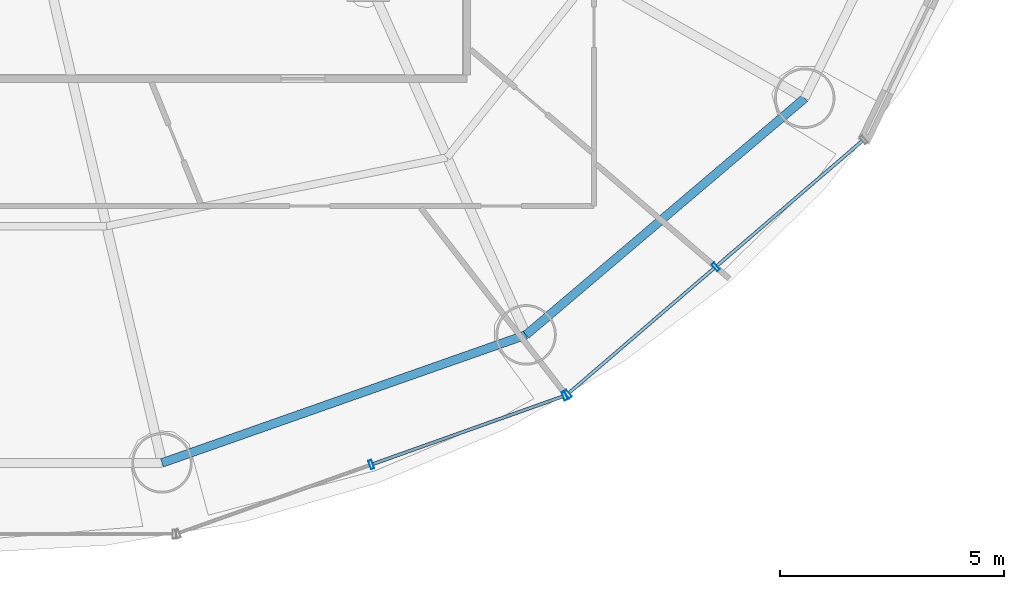
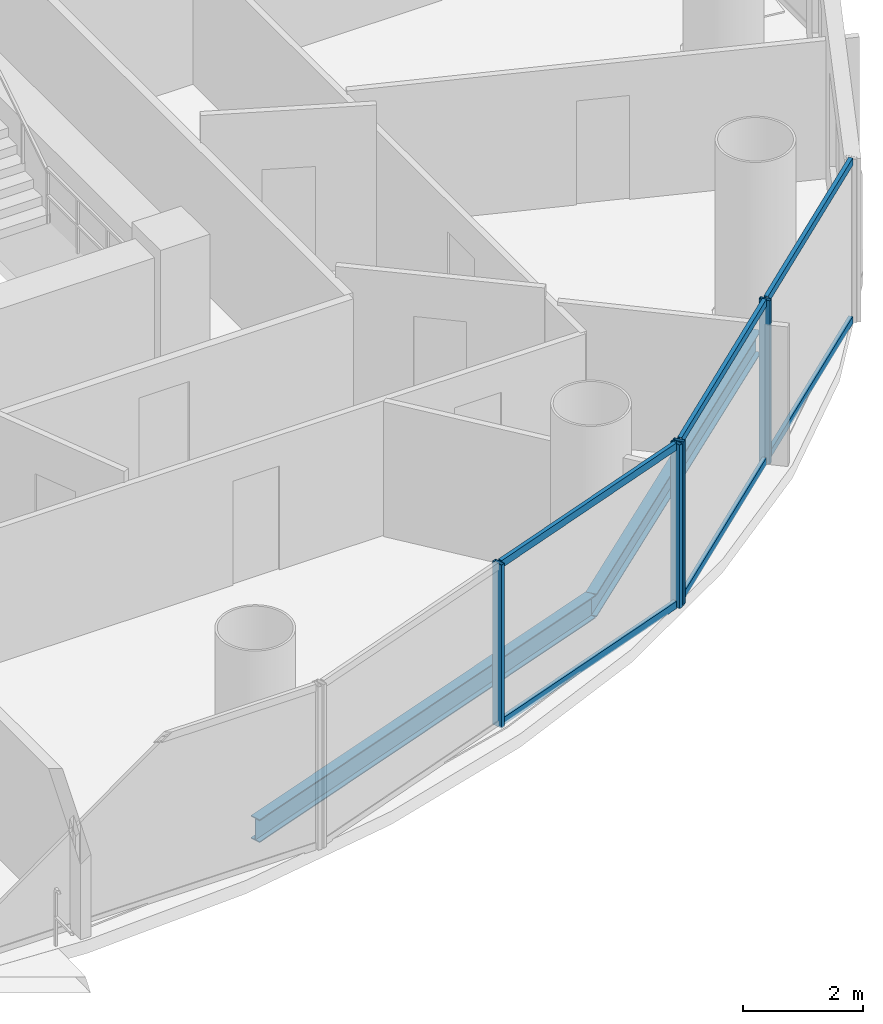
# One storey, part 9 of 27: 10 members, 2 beams, 2 elements without a shape of their own.
"""IFC4 building model written with IfcOpenShell, lengths in metres."""

from ifc_helpers import new_model, si_unit, direction, frame, origin, origin_2d, place, context, subcontext, project, spatial, hollow_rectangle, i_section, extrude, source, transform, mapped, material, material_profile, profile_set, type_object, element, aggregate, save


model = new_model("IFC4")

# Units and contexts
model_context = context("Model", 3, precision=1e-05, world=origin(), true_north=direction((-0.2419218956, 0.970295726276)))
body_context = subcontext(model_context, "Body", "Model", "MODEL_VIEW")
ifc_project = project(units=[si_unit("LENGTHUNIT", "METRE"), si_unit("AREAUNIT", "SQUARE_METRE"), si_unit("VOLUMEUNIT", "CUBIC_METRE"), si_unit("PLANEANGLEUNIT", "RADIAN"), si_unit("MASSUNIT", "GRAM", prefix="KILO")], contexts=[model_context])

# Site, building, storey
site_placement = place(None, origin())
site = spatial("IfcSite", under=ifc_project, at=site_placement, CompositionType="ELEMENT")
building_placement = place(site_placement, origin())
building = spatial("IfcBuilding", under=site, at=building_placement, Name="Cobrevalo Terracotta Tower", CompositionType="ELEMENT")
storey_placement = place(building_placement, frame((0.0, 0.0, 160.60009765625)))
storey = spatial("IfcBuildingStorey", under=building, at=storey_placement, Name="L42", CompositionType="ELEMENT", Elevation=160.60009765625)

# Beams
ifc_material_1 = material(Name="Steel S355", Category="steel")
ifc_material_profile_1 = material_profile(ifc_material_1, i_section(OverallWidth=0.194091796875, OverallDepth=0.468994140625, WebThickness=0.011474609375, FlangeThickness=0.0205078125, at=origin_2d()), Name="W 460x106")
ifc_profile_set_1 = profile_set([ifc_material_profile_1], Name="Steel S355")
beam_type = type_object("IfcBeamType", Name="Structural Spandrel W 460x106 (Steel S355)", PredefinedType="SPANDREL", material=ifc_profile_set_1)
beam_1_placement = place(storey_placement, frame((42.399169921875, 8.01806640625, -0.504638671875), z_axis=(0.943341298492, 0.331824041565, 0.0), x_axis=(-0.331824041565, 0.943341298492, 0.0)))
element("IfcBeam", 1, at=beam_1_placement, inside=storey, type_object=beam_type, Name="L42 perimeter ring spandrel 13", PredefinedType="SPANDREL", context=body_context, shape_type="SweptSolid", body=[
    extrude(i_section(OverallWidth=0.194091796875, OverallDepth=0.468994140625, WebThickness=0.011474609375, FlangeThickness=0.0205078125, at=origin_2d()), origin(), (0.0, 0.0, 1.0), 8.6171875),
])
beam_2_placement = place(storey_placement, frame((50.528076171875, 10.87744140625, -0.504638671875), z_axis=(0.762240337798, 0.647294112003, 0.0), x_axis=(-0.647294112003, 0.762240337798, 0.0)))
element("IfcBeam", 2, at=beam_2_placement, inside=storey, type_object=beam_type, Name="L42 perimeter ring spandrel 14", PredefinedType="SPANDREL", context=body_context, shape_type="SweptSolid", body=[
    extrude(i_section(OverallWidth=0.194091796875, OverallDepth=0.468994140625, WebThickness=0.011474609375, FlangeThickness=0.0205078125, at=origin_2d()), origin(), (0.0, 0.0, 1.0), 8.162353515625),
])

# Curtain wall, members
ifc_material_2 = material(Name="Anodized aluminium", Category="aluminium")
curtain_wall_type = type_object("IfcCurtainWallType", Name="Mid-tower high-wind unitised curtain wall CW-U2", PredefinedType="NOTDEFINED", material=ifc_material_2)
curtain_wall_1_placement = place(storey_placement, origin())
curtain_wall_1 = element("IfcCurtainWall", 3, at=curtain_wall_1_placement, inside=storey, type_object=curtain_wall_type, Name="L42 curtain wall CW-L42-S14", PredefinedType="NOTDEFINED")
ifc_material_profile_2 = material_profile(ifc_material_2, hollow_rectangle(XDim=0.074951171875, YDim=0.14990234375, WallThickness=0.00439453125, at=origin_2d()), Name="CWT 75x150")
ifc_profile_set_2 = profile_set([ifc_material_profile_2], Name="Anodized aluminium")
member_type_1 = type_object("IfcMemberType", Name="Tower unitised aluminium transom 75x150", PredefinedType="USERDEFINED", material=ifc_profile_set_2)
shared_shape_1 = source(origin(), body_context, "Body", "SweptSolid", [
    extrude(hollow_rectangle(XDim=0.074951171875, YDim=0.14990234375, WallThickness=0.00439453125, at=origin_2d()), origin(), (0.0, 0.0, 1.0), 4.276123046875),
])
member_1_placement = place(storey_placement, frame((51.48876953125, 9.58251953125, 0.0498046875), z_axis=(0.758417719247, 0.651768795764, 0.0), x_axis=(-0.651768795764, 0.758417719247, 0.0)))
member_1 = element("IfcMember", 4, at=member_1_placement, type_object=member_type_1, Name="CW-L42-S14 transom B01-T1", ObjectType="TRANSOM", PredefinedType="USERDEFINED", context=body_context, shape_type="MappedRepresentation", body=[
    mapped(shared_shape_1, transform((0.0, 0.0, 0.0), scale=1.0)),
])
member_2_placement = place(storey_placement, frame((51.48876953125, 9.58251953125, 3.27978515625), z_axis=(0.758417719247, 0.651768795764, 0.0), x_axis=(-0.651768795764, 0.758417719247, 0.0)))
member_2 = element("IfcMember", 5, at=member_2_placement, type_object=member_type_1, Name="CW-L42-S14 transom B01-T2", ObjectType="TRANSOM", PredefinedType="USERDEFINED", context=body_context, shape_type="MappedRepresentation", body=[
    mapped(shared_shape_1, transform((0.0, 0.0, 0.0), scale=1.0)),
])
member_3_placement = place(storey_placement, frame((54.792724609375, 12.421630859375, 0.0498046875), z_axis=(0.758417719247, 0.651768795764, 0.0), x_axis=(-0.651768795764, 0.758417719247, 0.0)))
member_3 = element("IfcMember", 6, at=member_3_placement, type_object=member_type_1, Name="CW-L42-S14 transom B02-T1", ObjectType="TRANSOM", PredefinedType="USERDEFINED", context=body_context, shape_type="MappedRepresentation", body=[
    mapped(shared_shape_1, transform((0.0, 0.0, 0.0), scale=1.0)),
])
member_4_placement = place(storey_placement, frame((54.792724609375, 12.421630859375, 3.27978515625), z_axis=(0.758417719247, 0.651768795764, 0.0), x_axis=(-0.651768795764, 0.758417719247, 0.0)))
member_4 = element("IfcMember", 7, at=member_4_placement, type_object=member_type_1, Name="CW-L42-S14 transom B02-T2", ObjectType="TRANSOM", PredefinedType="USERDEFINED", context=body_context, shape_type="MappedRepresentation", body=[
    mapped(shared_shape_1, transform((0.0, 0.0, 0.0), scale=1.0)),
])

curtain_wall_2_placement = place(storey_placement, origin())
curtain_wall_2 = element("IfcCurtainWall", 8, at=curtain_wall_2_placement, inside=storey, type_object=curtain_wall_type, Name="L42 curtain wall CW-L42-S13", PredefinedType="NOTDEFINED")
ifc_material_profile_3 = material_profile(ifc_material_2, hollow_rectangle(XDim=0.074951171875, YDim=0.199951171875, WallThickness=0.0048828125, at=origin_2d()), Name="CWM 75x200")
ifc_profile_set_3 = profile_set([ifc_material_profile_3], Name="Anodized aluminium")
member_type_2 = type_object("IfcMemberType", Name="Lower/mid tower unitised mullion 75x200", PredefinedType="MULLION", material=ifc_profile_set_3)
shared_shape_2 = source(origin(), body_context, "Body", "SweptSolid", [
    extrude(hollow_rectangle(XDim=0.074951171875, YDim=0.199951171875, WallThickness=0.0048828125, at=origin_2d()), origin(), (0.0, 0.0, 1.0), 3.329833984375),
])
member_5_placement = place(storey_placement, frame((47.07177734375, 7.979736328125, 0.0), z_axis=(0.0, 0.0, 1.0), x_axis=(0.942098428897, 0.335336473217, 0.0)))
member_5 = element("IfcMember", 9, at=member_5_placement, type_object=member_type_2, Name="CW-L42-S13 vertical mullion 02", PredefinedType="MULLION", context=body_context, shape_type="MappedRepresentation", body=[
    mapped(shared_shape_2, transform((0.0, 0.0, 0.0), scale=1.0)),
])
member_6_placement = place(storey_placement, frame((51.390380859375, 9.516845703125, 0.0), z_axis=(0.0, 0.0, 1.0), x_axis=(0.942098428897, 0.335336473217, 0.0)))
member_6 = element("IfcMember", 10, at=member_6_placement, type_object=member_type_2, Name="CW-L42-S13 vertical mullion 03", PredefinedType="MULLION", context=body_context, shape_type="MappedRepresentation", body=[
    mapped(shared_shape_2, transform((0.0, 0.0, 0.0), scale=1.0)),
])

# Member
member_7_placement = place(storey_placement, frame((51.45849609375, 9.556396484375, 0.0), z_axis=(0.0, 0.0, 1.0), x_axis=(0.758441546142, 0.65174106905, 0.0)))
member_7 = element("IfcMember", 11, at=member_7_placement, type_object=member_type_2, Name="CW-L42-S14 vertical mullion 01", PredefinedType="MULLION", context=body_context, shape_type="MappedRepresentation", body=[
    mapped(shared_shape_2, transform((0.0, 0.0, 0.0), scale=1.0)),
])

member_8_placement = place(storey_placement, frame((54.762451171875, 12.3955078125, 0.0), z_axis=(0.0, 0.0, 1.0), x_axis=(0.758441546142, 0.65174106905, 0.0)))
member_8 = element("IfcMember", 12, at=member_8_placement, type_object=member_type_2, Name="CW-L42-S14 vertical mullion 02", PredefinedType="MULLION", context=body_context, shape_type="MappedRepresentation", body=[
    mapped(shared_shape_2, transform((0.0, 0.0, 0.0), scale=1.0)),
])

aggregate(curtain_wall_1, [member_7, member_8, member_1, member_2, member_3, member_4])

shared_shape_3 = source(origin(), body_context, "Body", "SweptSolid", [
    extrude(hollow_rectangle(XDim=0.074951171875, YDim=0.14990234375, WallThickness=0.00439453125, at=origin_2d()), origin(), (0.0, 0.0, 1.0), 4.504150390625),
])
member_9_placement = place(storey_placement, frame((47.109375, 7.9931640625, 0.0498046875), z_axis=(0.942093344241, 0.335350757771, 0.0), x_axis=(-0.335350757771, 0.942093344241, 0.0)))
member_9 = element("IfcMember", 13, at=member_9_placement, type_object=member_type_1, Name="CW-L42-S13 transom B02-T1", ObjectType="TRANSOM", PredefinedType="USERDEFINED", context=body_context, shape_type="MappedRepresentation", body=[
    mapped(shared_shape_3, transform((0.0, 0.0, 0.0), scale=1.0)),
])

member_10_placement = place(storey_placement, frame((47.109375, 7.9931640625, 3.27978515625), z_axis=(0.942093344241, 0.335350757771, 0.0), x_axis=(-0.335350757771, 0.942093344241, 0.0)))
member_10 = element("IfcMember", 14, at=member_10_placement, type_object=member_type_1, Name="CW-L42-S13 transom B02-T2", ObjectType="TRANSOM", PredefinedType="USERDEFINED", context=body_context, shape_type="MappedRepresentation", body=[
    mapped(shared_shape_3, transform((0.0, 0.0, 0.0), scale=1.0)),
])

aggregate(curtain_wall_2, [member_5, member_6, member_9, member_10])

save(model, "model.ifc")
